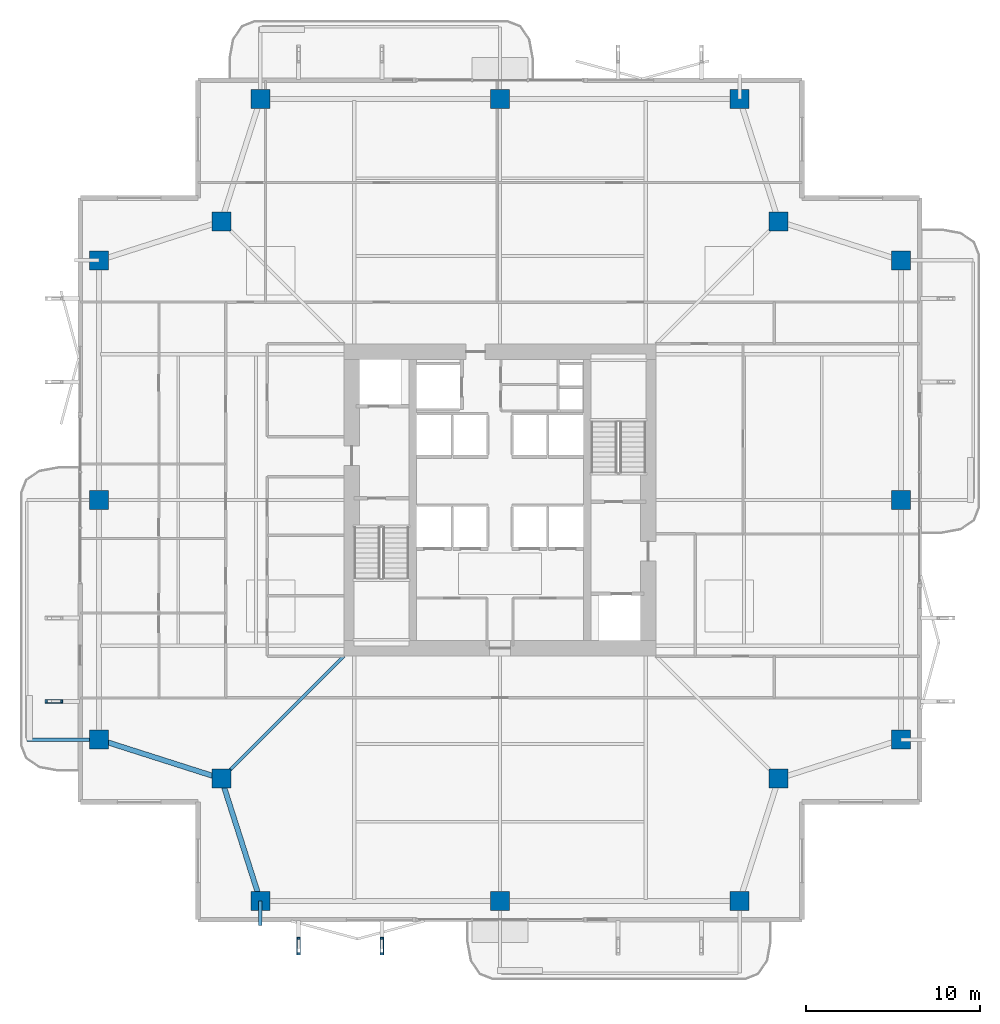
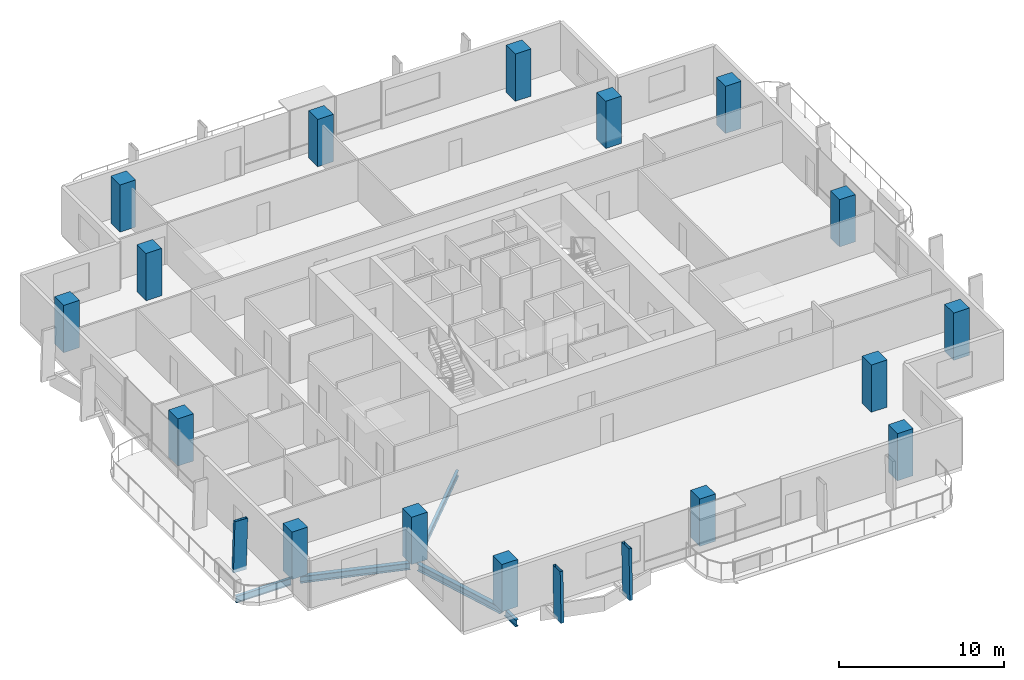
# One storey, part 1 of 25: 16 columns, 5 beams, 3 members.
"""IFC4 building model written with IfcOpenShell, lengths in metres."""

import ifcopenshell
import ifcopenshell.guid

model = None  # the IFC model being written
_history = None  # IfcOwnerHistory: only IFC2X3 demands one
_inside = {}  # id of a spatial element -> (the spatial element, [elements in it])
_under = {}  # id of a project, library or spatial element -> (it, [spatial elements below it])
_declared = {}  # id of a project -> (the project, [libraries it declares])
_typed = {}  # id of a type object -> (the type object, [elements of that type])
_made_of = {}  # id of a material, layer set ... -> (it, [elements and type objects made of it])


def new_model(schema):
    """Start an empty IFC model of exactly this schema.

    Asked for "IFC4X3", IfcOpenShell would pick the latest addendum, in which some entities
    have other attributes; the version numbers below select the first issue.
    IFC2X3 requires an IfcOwnerHistory on every rooted entity: one is made here for all.
    """
    global model, _history
    if schema == "IFC4X3":
        model = ifcopenshell.file(schema_version=(4, 3, 0, 0))
    else:
        model = ifcopenshell.file(schema=schema)
    _inside.clear()
    _under.clear()
    _declared.clear()
    _typed.clear()
    _made_of.clear()
    _history = None
    if model.schema == "IFC2X3":
        org = make("IfcOrganization", Name="unknown")
        user = make(
            "IfcPersonAndOrganization",
            ThePerson=make("IfcPerson", FamilyName="unknown"),
            TheOrganization=org,
        )
        app = make(
            "IfcApplication",
            ApplicationDeveloper=org,
            Version="unknown",
            ApplicationFullName="unknown",
            ApplicationIdentifier="unknown",
        )
        _history = make(
            "IfcOwnerHistory",
            OwningUser=user,
            OwningApplication=app,
            ChangeAction="ADDED",
            CreationDate=0,
        )
    return model


def make(cls, **values):
    """One entity of the class cls with the attributes given. An attribute that is None is left unset."""
    return model.create_entity(
        cls, **{name: value for name, value in values.items() if value is not None}
    )


def rooted(cls, **values):
    """An entity with a GlobalId (a new one), such as an element, a storey or a relation."""
    return make(cls, GlobalId=ifcopenshell.guid.new(), OwnerHistory=_history, **values)


def si_unit(unit_type, name, prefix=None):
    """IfcSIUnit, for example si_unit("LENGTHUNIT", "METRE", prefix="MILLI")."""
    return make("IfcSIUnit", UnitType=unit_type, Prefix=prefix, Name=name)


def assignment(units):
    """IfcUnitAssignment: the units of a project."""
    return None if units is None else make("IfcUnitAssignment", Units=units)


def point(xyz):
    """IfcCartesianPoint."""
    return None if xyz is None else make("IfcCartesianPoint", Coordinates=xyz)


def direction(xyz):
    """IfcDirection."""
    return None if xyz is None else make("IfcDirection", DirectionRatios=xyz)


def frame(location, z_axis=None, x_axis=None):
    """IfcAxis2Placement3D, a coordinate frame: its origin and axes. An axis left out is left unset."""
    return make(
        "IfcAxis2Placement3D",
        Location=point(location),
        Axis=direction(z_axis),
        RefDirection=direction(x_axis),
    )


def frame_2d(location, x_axis=None):
    """IfcAxis2Placement2D, a coordinate frame in the plane: its origin and x axis."""
    return make(
        "IfcAxis2Placement2D", Location=point(location), RefDirection=direction(x_axis)
    )


def origin():
    """The frame at (0, 0, 0) with its axes left unset."""
    return frame((0.0, 0.0, 0.0))


def origin_2d():
    """The frame at (0, 0) in the plane with its x axis left unset."""
    return frame_2d((0.0, 0.0))


def place(relative_to, where):
    """IfcLocalPlacement: puts the frame where relative to a parent placement (None: the world)."""
    return make(
        "IfcLocalPlacement", PlacementRelTo=relative_to, RelativePlacement=where
    )


def context(
    kind, dimensions, precision=None, world=None, true_north=None, identifier=None
):
    """IfcGeometricRepresentationContext, for example the 3D "Model" context."""
    return make(
        "IfcGeometricRepresentationContext",
        ContextIdentifier=identifier,
        ContextType=kind,
        CoordinateSpaceDimension=dimensions,
        Precision=precision,
        WorldCoordinateSystem=world,
        TrueNorth=true_north,
    )


def subcontext(parent, identifier, kind, view, scale=None):
    """IfcGeometricRepresentationSubContext, for example "Body" below "Model"."""
    return make(
        "IfcGeometricRepresentationSubContext",
        ContextIdentifier=identifier,
        ContextType=kind,
        ParentContext=parent,
        TargetScale=scale,
        TargetView=view,
    )


def project(units=None, contexts=None):
    """IfcProject with its units and contexts."""
    return rooted(
        "IfcProject",
        Name="project",
        RepresentationContexts=contexts,
        UnitsInContext=assignment(units),
    )


def spatial(cls, under=None, at=None, **own):
    """A site, building, storey or space (cls), placed at a placement, below another one or the project."""
    s = rooted(cls, ObjectPlacement=at, **own)
    if under is not None:
        _under.setdefault(under.id(), (under, []))[1].append(s)
    return s


def profile(cls, at=None, kind="AREA", **sizes):
    """A parametric profile (cls). Its sizes go by their IFC names, for example OverallWidth=200.0."""
    return make(cls, ProfileType=kind, Position=at, **sizes)


def rectangle(**sizes):
    """IfcRectangleProfileDef."""
    return profile("IfcRectangleProfileDef", **sizes)


def hollow_rectangle(**sizes):
    """IfcRectangleHollowProfileDef."""
    return profile("IfcRectangleHollowProfileDef", **sizes)


def i_section(**sizes):
    """IfcIShapeProfileDef."""
    return profile("IfcIShapeProfileDef", **sizes)


def extrude(swept, where, along, depth):
    """IfcExtrudedAreaSolid: the profile swept, set in the frame where, extruded along a direction by depth."""
    return make(
        "IfcExtrudedAreaSolid",
        SweptArea=swept,
        Position=where,
        ExtrudedDirection=direction(along),
        Depth=depth,
    )


def shape(context_of_items, identifier, shape_type, items):
    """IfcShapeRepresentation: the items that make up one representation, for example the "Body"."""
    return make(
        "IfcShapeRepresentation",
        ContextOfItems=context_of_items,
        RepresentationIdentifier=identifier,
        RepresentationType=shape_type,
        Items=items,
    )


def material(Name=None, Category=None):
    """IfcMaterial."""
    return make("IfcMaterial", Name=Name, Category=Category)


def material_profile(
    of_material, cross_section, Name=None, Category=None, Priority=None
):
    """IfcMaterialProfile: a cross section and its material."""
    return make(
        "IfcMaterialProfile",
        Name=Name,
        Material=of_material,
        Profile=cross_section,
        Priority=Priority,
        Category=Category,
    )


def profile_set(profiles, Name=None, composite=None):
    """IfcMaterialProfileSet."""
    return make(
        "IfcMaterialProfileSet",
        Name=Name,
        MaterialProfiles=profiles,
        CompositeProfile=composite,
    )


def made_of(thing, what):
    """Note that an element or type object is made of a material, layer set ...; save() writes the relation."""
    if what is not None:
        _made_of.setdefault(what.id(), (what, []))[1].append(thing)
    return thing


def type_object(cls, material=None, **own):
    """A type object (cls), such as IfcWallType, which elements share."""
    return made_of(rooted(cls, **own), material)


def element(
    cls,
    number,
    at=None,
    inside=None,
    cuts=None,
    type_object=None,
    material=None,
    context=None,
    identifier="Body",
    shape_type=None,
    held_by="IfcProductDefinitionShape",
    body=None,
    shapes=None,
    **own,
):
    """One element of the class cls, such as IfcWall. Its Tag is "e" and its number.

    at: its placement. inside: the storey or other place that contains it. cuts: it is an
    opening in that element (IfcRelVoidsElement). A single representation is given by context,
    identifier, shape_type and body (its items); several are given by shapes. held_by: the class
    of the entity that holds the representations. save() writes the other relations.
    """
    e = rooted(cls, Tag="e%d" % number, ObjectPlacement=at, **own)
    if body is not None:
        shapes = [shape(context, identifier, shape_type, body)]
    if shapes is not None:
        e.Representation = make(held_by, Representations=shapes)
    if inside is not None:
        _inside.setdefault(inside.id(), (inside, []))[1].append(e)
    if cuts is not None:
        rooted(
            "IfcRelVoidsElement", RelatingBuildingElement=cuts, RelatedOpeningElement=e
        )
    if type_object is not None:
        _typed.setdefault(type_object.id(), (type_object, []))[1].append(e)
    return made_of(e, material)


def aggregate(whole, parts):
    """IfcRelAggregates: a whole, such as a stair, and the parts it consists of."""
    return rooted("IfcRelAggregates", RelatingObject=whole, RelatedObjects=parts)


def save(model, path):
    """Write the relations noted so far, then the file.

    IfcRelAggregates (storeys below a building ...), IfcRelContainedInSpatialStructure (elements
    in a storey), IfcRelDefinesByType, IfcRelAssociatesMaterial and IfcRelDeclares: one each for
    every whole, place, type object, material and project.
    """
    for whole, parts in _under.values():
        aggregate(whole, parts)
    for where, things in _inside.values():
        rooted(
            "IfcRelContainedInSpatialStructure",
            RelatedElements=things,
            RelatingStructure=where,
        )
    for kind, things in _typed.values():
        rooted("IfcRelDefinesByType", RelatedObjects=things, RelatingType=kind)
    for what, things in _made_of.values():
        rooted("IfcRelAssociatesMaterial", RelatedObjects=things, RelatingMaterial=what)
    for by, libraries in _declared.values():
        rooted("IfcRelDeclares", RelatingContext=by, RelatedDefinitions=libraries)
    model.write(path)


model = new_model("IFC4")

# Units and contexts
model_context = context("Model", 3, precision=1e-05, world=origin(), true_north=direction((0.0, 1.0)))
body_context = subcontext(model_context, "Body", "Model", "MODEL_VIEW")
ifc_project = project(units=[si_unit("LENGTHUNIT", "METRE"), si_unit("AREAUNIT", "SQUARE_METRE"), si_unit("VOLUMEUNIT", "CUBIC_METRE"), si_unit("PLANEANGLEUNIT", "RADIAN"), si_unit("MASSUNIT", "GRAM", prefix="KILO")], contexts=[model_context])

# Site, building, storey
site_placement = place(None, origin())
site = spatial("IfcSite", under=ifc_project, at=site_placement, CompositionType="ELEMENT")
building_placement = place(site_placement, origin())
building = spatial("IfcBuilding", under=site, at=building_placement, Name="Belovzor Exchange Tower", CompositionType="ELEMENT")
storey_placement = place(building_placement, frame((0.0, 0.0, 153.300048828125)))
storey = spatial("IfcBuildingStorey", under=building, at=storey_placement, Name="L37", CompositionType="ELEMENT", Elevation=153.300048828125)

# Columns
ifc_material_1 = material(Name="Concrete C50/60", Category="concrete")
ifc_material_profile_1 = material_profile(ifc_material_1, rectangle(XDim=1.10009765625, YDim=1.10009765625, at=origin_2d()))
ifc_profile_set_1 = profile_set([ifc_material_profile_1], Name="Concrete C50/60")
column_type = type_object("IfcColumnType", Name="Reinforced Concrete Tower Column 1100x1100", PredefinedType="COLUMN", material=ifc_profile_set_1)
for number, where, z_axis, x_axis, name in (
    (1, (15.0, 5.699951171875, 0.0029296875), (0.0, 0.0, 1.0), (1.0, 0.0, 0.0), "COL-T110 Reinforced Concrete Tower Column 1100x1100"),
    (2, (28.800048828125, 5.699951171875, 0.0029296875), (0.0, 0.0, 1.0), (1.0, 0.0, 0.0), "COL-T110 Reinforced Concrete Tower Column 1100x1100"),
    (3, (42.60009765625, 5.699951171875, 0.0029296875), (0.0, 0.0, 1.0), (1.0, 0.0, 0.0), "COL-T110 Reinforced Concrete Tower Column 1100x1100"),
    (4, (51.89990234375, 15.0, 0.0029296875), (0.0, 0.0, 1.0), (1.0, 0.0, 0.0), "COL-T110 Reinforced Concrete Tower Column 1100x1100"),
    (5, (51.89990234375, 28.800048828125, 0.0029296875), (0.0, 0.0, 1.0), (1.0, 0.0, 0.0), "COL-T110 Reinforced Concrete Tower Column 1100x1100"),
    (6, (51.89990234375, 42.60009765625, 0.0029296875), (0.0, 0.0, 1.0), (1.0, 0.0, 0.0), "COL-T110 Reinforced Concrete Tower Column 1100x1100"),
    (7, (42.60009765625, 51.89990234375, 0.0029296875), (0.0, 0.0, 1.0), (1.0, 0.0, 0.0), "COL-T110 Reinforced Concrete Tower Column 1100x1100"),
    (8, (28.800048828125, 51.89990234375, 0.0029296875), (0.0, 0.0, 1.0), (1.0, 0.0, 0.0), "COL-T110 Reinforced Concrete Tower Column 1100x1100"),
    (9, (15.0, 51.89990234375, 0.0029296875), (0.0, 0.0, 1.0), (1.0, 0.0, 0.0), "COL-T110 Reinforced Concrete Tower Column 1100x1100"),
    (10, (5.699951171875, 42.60009765625, 0.0029296875), (0.0, 0.0, 1.0), (1.0, 0.0, 0.0), "COL-T110 Reinforced Concrete Tower Column 1100x1100"),
    (11, (5.699951171875, 28.800048828125, 0.0029296875), (0.0, 0.0, 1.0), (1.0, 0.0, 0.0), "COL-T110 Reinforced Concrete Tower Column 1100x1100"),
    (12, (5.699951171875, 15.0, 0.0029296875), (0.0, 0.0, 1.0), (1.0, 0.0, 0.0), "COL-T110 Reinforced Concrete Tower Column 1100x1100"),
    (13, (12.75, 12.75, 0.0029296875), (0.0, 0.0, 1.0), (1.0, 0.0, 0.0), "COL-T110 Reinforced Concrete Tower Column 1100x1100"),
    (14, (44.85009765625, 12.75, 0.0029296875), (0.0, 0.0, 1.0), (1.0, 0.0, 0.0), "COL-T110 Reinforced Concrete Tower Column 1100x1100"),
    (15, (44.85009765625, 44.85009765625, 0.0029296875), (0.0, 0.0, 1.0), (1.0, 0.0, 0.0), "COL-T110 Reinforced Concrete Tower Column 1100x1100"),
    (16, (12.75, 44.85009765625, 0.0029296875), (0.0, 0.0, 1.0), (1.0, 0.0, 0.0), "COL-T110 Reinforced Concrete Tower Column 1100x1100"),
):
    element("IfcColumn", number, at=place(storey_placement, frame(where, z_axis=z_axis, x_axis=x_axis)), inside=storey, type_object=column_type, Name=name, PredefinedType="COLUMN", context=body_context, shape_type="SweptSolid", body=[
        extrude(rectangle(XDim=1.10009765625, YDim=1.10009765625, at=origin_2d()), origin(), (0.0, 0.0, 1.0), 3.489013671875),
    ])

# Beams
ifc_material_2 = material(Name="Steel S355", Category="steel")
ifc_material_profile_2 = material_profile(ifc_material_2, i_section(OverallWidth=0.199951171875, OverallDepth=0.5, WebThickness=0.01025390625, FlangeThickness=0.01611328125, at=origin_2d()))
ifc_profile_set_2 = profile_set([ifc_material_profile_2], Name="Steel S355")
beam_type_1 = type_object("IfcBeamType", Name="Planted Balcony Cantilever Beam IPE 500", PredefinedType="BEAM", material=ifc_profile_set_2)
beam_1_placement = place(storey_placement, frame((5.39697265625, 15.0, -0.505126953125), z_axis=(-1.0, 0.0, 0.0), x_axis=(0.0, -1.0, 0.0)))
element("IfcBeam", 17, at=beam_1_placement, inside=storey, type_object=beam_type_1, Name="BC-500 Planted Balcony Cantilever Beam IPE 500", PredefinedType="BEAM", context=body_context, shape_type="SweptSolid", body=[
    extrude(i_section(OverallWidth=0.199951171875, OverallDepth=0.5, WebThickness=0.01025390625, FlangeThickness=0.01611328125, at=origin_2d()), origin(), (0.0, 0.0, 1.0), 3.849853515625),
])
beam_2_placement = place(storey_placement, frame((15.0, 5.699951171875, -0.505126953125), z_axis=(0.0, -1.0, 0.0), x_axis=(1.0, 0.0, 0.0)))
element("IfcBeam", 18, at=beam_2_placement, inside=storey, type_object=beam_type_1, Name="BC-500 Planted Balcony Cantilever Beam IPE 500", PredefinedType="BEAM", context=body_context, shape_type="SweptSolid", body=[
    extrude(i_section(OverallWidth=0.199951171875, OverallDepth=0.5, WebThickness=0.01025390625, FlangeThickness=0.01611328125, at=origin_2d()), origin(), (0.0, 0.0, 1.0), 1.39990234375),
])

# Members
ifc_material_3 = material(Name="Extruded Architectural Terracotta on Steel S355 Carrier", Category="masonry")
ifc_material_profile_3 = material_profile(ifc_material_3, hollow_rectangle(XDim=0.199951171875, YDim=0.89990234375, WallThickness=0.011962890625, at=origin_2d()))
ifc_profile_set_3 = profile_set([ifc_material_profile_3], Name="Extruded Architectural Terracotta on Steel S355 Carrier")
member_type = type_object("IfcMemberType", Name="Sweeping Terracotta Baguette Fin Assembly 1250", PredefinedType="USERDEFINED", material=ifc_profile_set_3)
for number, where, z_axis, x_axis, name in (
    (19, (17.199951171875, 3.049072265625, -0.255126953125), (0.0, 0.028764134908, 0.999586226667), (-1.0, 0.0, 0.0), "FIN-TC125 Terracotta Facade Fin L37 S1"),
    (20, (3.049072265625, 17.199951171875, -0.255126953125), (0.028764134908, 0.0, 0.999586226667), (0.0, 1.0, 0.0), "FIN-TC125 Terracotta Facade Fin L37 W1"),
    (21, (22.0, 3.049072265625, -0.255126953125), (0.0, 0.028764134908, 0.999586226667), (-1.0, 0.0, 0.0), "FIN-TC125 Terracotta Facade Fin L37 S2"),
):
    element("IfcMember", number, at=place(storey_placement, frame(where, z_axis=z_axis, x_axis=x_axis)), inside=storey, type_object=member_type, Name=name, ObjectType="FIN", PredefinedType="USERDEFINED", context=body_context, shape_type="SweptSolid", body=[
        extrude(hollow_rectangle(XDim=0.199951171875, YDim=0.89990234375, WallThickness=0.011962890625, at=origin_2d()), origin(), (0.0, 0.0, 1.0), 3.75146484375),
    ])

# Beams
ifc_material_4 = material(Name="Steel S355", Category="steel")
ifc_material_profile_4 = material_profile(ifc_material_4, i_section(OverallWidth=0.18994140625, OverallDepth=0.449951171875, WebThickness=0.009521484375, FlangeThickness=0.0146484375, at=origin_2d()))
ifc_profile_set_4 = profile_set([ifc_material_profile_4], Name="Steel S355")
beam_type_2 = type_object("IfcBeamType", Name="Zone 2-4 Radial Composite Floor Beam IPE 450", PredefinedType="BEAM", material=ifc_profile_set_4)
beam_3_placement = place(storey_placement, frame((19.800048828125, 19.800048828125, -0.47998046875), z_axis=(-0.707106781187, -0.707106781187, 0.0), x_axis=(0.707106781187, -0.707106781187, 0.0)))
element("IfcBeam", 22, at=beam_3_placement, inside=storey, type_object=beam_type_2, Name="FB-450 Zone 2-4 Radial Composite Floor Beam IPE 450", PredefinedType="BEAM", context=body_context, shape_type="SweptSolid", body=[
    extrude(i_section(OverallWidth=0.18994140625, OverallDepth=0.449951171875, WebThickness=0.009521484375, FlangeThickness=0.0146484375, at=origin_2d()), origin(), (0.0, 0.0, 1.0), 9.58154296875),
])
ifc_material_5 = material(Name="Steel S355", Category="steel")
ifc_material_profile_5 = material_profile(ifc_material_5, i_section(OverallWidth=0.300048828125, OverallDepth=0.5, WebThickness=0.014404296875, FlangeThickness=0.028076171875, at=origin_2d()))
ifc_profile_set_5 = profile_set([ifc_material_profile_5], Name="Steel S355")
beam_type_3 = type_object("IfcBeamType", Name="Zone 3 Waist Primary Girder HEB 500", PredefinedType="BEAM", material=ifc_profile_set_5)
for number, where, z_axis, x_axis, name in (
    (23, (12.842041015625, 12.4619140625, -0.505126953125), (0.304011730457, -0.952668288411, 0.0), (0.952668288411, 0.304011730457, 0.0), "FG-Z3 Zone 3 Waist Primary Girder HEB 500"),
    (24, (5.988037109375, 14.907958984375, -0.505126953125), (0.952668288411, -0.304011730457, 0.0), (0.304011730457, 0.952668288411, 0.0), "FG-Z3 Zone 3 Waist Primary Girder HEB 500"),
):
    element("IfcBeam", number, at=place(storey_placement, frame(where, z_axis=z_axis, x_axis=x_axis)), inside=storey, type_object=beam_type_3, Name=name, PredefinedType="BEAM", context=body_context, shape_type="SweptSolid", body=[
        extrude(i_section(OverallWidth=0.300048828125, OverallDepth=0.5, WebThickness=0.014404296875, FlangeThickness=0.028076171875, at=origin_2d()), origin(), (0.0, 0.0, 1.0), 6.79541015625),
    ])

save(model, "model.ifc")
